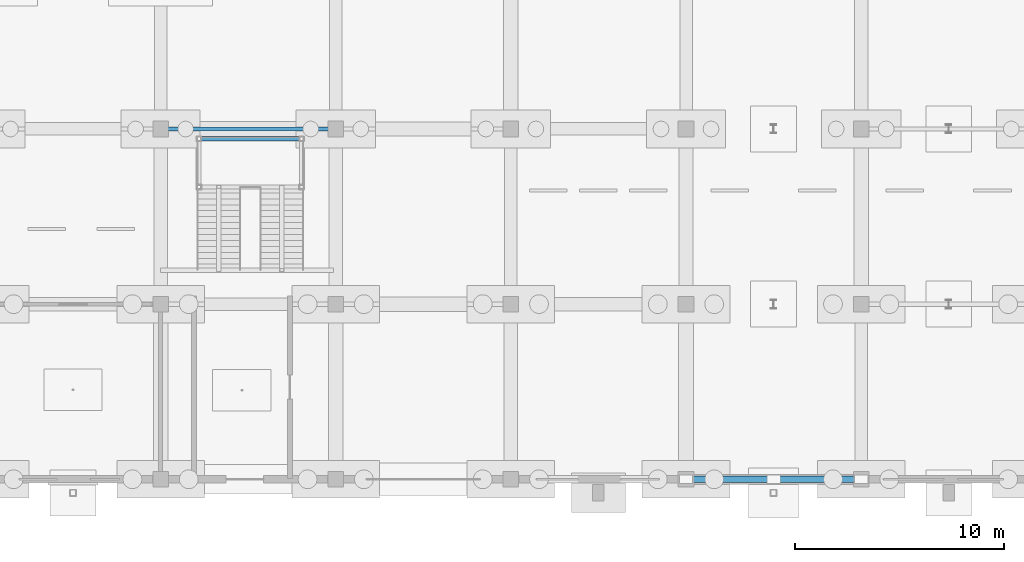
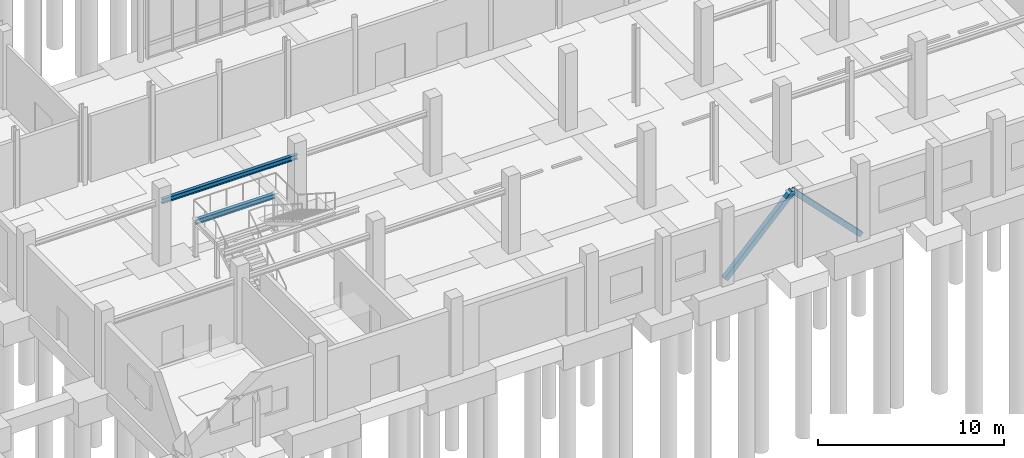
# One storey, part 40 of 119: 2 beams, 2 members.
"""IFC4 building model written with IfcOpenShell, lengths in metres."""

from ifc_helpers import new_model, si_unit, derived_unit, direction, frame, origin, origin_2d, place, context, subcontext, project, spatial, hollow_rectangle, i_section, extrude, material, material_profile, profile_set, type_object, element, save


model = new_model("IFC4")

# Units and contexts
model_context = context("Model", 3, precision=1e-05, world=origin(), true_north=direction((0.0, 1.0)))
body_context = subcontext(model_context, "Body", "Model", "MODEL_VIEW")
ifc_project = project(units=[si_unit("LENGTHUNIT", "METRE"), si_unit("AREAUNIT", "SQUARE_METRE"), si_unit("VOLUMEUNIT", "CUBIC_METRE"), si_unit("PLANEANGLEUNIT", "RADIAN"), si_unit("MASSUNIT", "GRAM", prefix="KILO"), derived_unit("THERMALTRANSMITTANCEUNIT", [(si_unit("MASSUNIT", "GRAM", prefix="KILO"), 1), (si_unit("TIMEUNIT", "SECOND"), -3), (si_unit("THERMODYNAMICTEMPERATUREUNIT", "KELVIN"), -1)])], contexts=[model_context])

# Site, building, storey
site_placement = place(None, origin())
site = spatial("IfcSite", under=ifc_project, at=site_placement, CompositionType="ELEMENT")
building_placement = place(site_placement, origin())
building = spatial("IfcBuilding", under=site, at=building_placement, Name="Makaiwela Harbour Ferry Terminal", CompositionType="ELEMENT")
storey_placement = place(building_placement, origin())
storey = spatial("IfcBuildingStorey", under=building, at=storey_placement, Name="L00", CompositionType="ELEMENT", Elevation=0.0)

# Members
ifc_material_1 = material(Name="Steel ASTM A500 Grade C", Category="steel")
ifc_material_profile_1 = material_profile(ifc_material_1, hollow_rectangle(XDim=0.304931640625, YDim=0.304931640625, WallThickness=0.0146484375, at=origin_2d()), Name="HSS12X12X5/8")
ifc_profile_set_1 = profile_set([ifc_material_profile_1], Name="Steel ASTM A500 Grade C")
member_type = type_object("IfcMemberType", Name="STR-BRC-HSS12", PredefinedType="BRACE", material=ifc_profile_set_1)
for number, where, z_axis, x_axis, name in (
    (1, (96.60009765625, 0.0, 0.219970703125), (0.698284794228, 0.0, 0.715820051515), (0.0, 1.0, 0.0), "Lateral chevron brace 2A"),
    (2, (105.0, 0.0, 0.219970703125), (-0.698284794228, 0.0, 0.715820051515), (0.0, -1.0, 0.0), "Lateral chevron brace 2B"),
):
    element("IfcMember", number, at=place(storey_placement, frame(where, z_axis=z_axis, x_axis=x_axis)), inside=storey, type_object=member_type, Name=name, PredefinedType="BRACE", context=body_context, shape_type="SweptSolid", body=[
        extrude(hollow_rectangle(XDim=0.304931640625, YDim=0.304931640625, WallThickness=0.0146484375, at=origin_2d()), origin(), (0.0, 0.0, 1.0), 6.0146484375),
    ])

# Beams
ifc_material_2 = material(Name="Steel ASTM A992 Grade 50", Category="steel")
ifc_material_profile_2 = material_profile(ifc_material_2, i_section(OverallWidth=0.205078125, OverallDepth=0.31005859375, WebThickness=0.009521484375, FlangeThickness=0.016357421875, at=origin_2d()), Name="W12X50")
ifc_profile_set_2 = profile_set([ifc_material_profile_2], Name="Steel ASTM A992 Grade 50")
beam_type = type_object("IfcBeamType", Name="STR-LNT-W12X50", PredefinedType="LINTEL", material=ifc_profile_set_2)
beam_1_placement = place(storey_placement, frame((71.39990234375, 16.800048828125, 3.949951171875), z_axis=(1.0, 0.0, 0.0), x_axis=(0.0, 1.0, 0.0)))
element("IfcBeam", 3, at=beam_1_placement, inside=storey, type_object=beam_type, Name="Interior aisle lintel 4", PredefinedType="LINTEL", context=body_context, shape_type="SweptSolid", body=[
    extrude(i_section(OverallWidth=0.205078125, OverallDepth=0.31005859375, WebThickness=0.009521484375, FlangeThickness=0.016357421875, at=origin_2d()), origin(), (0.0, 0.0, 1.0), 8.400146484375),
])
beam_2_placement = place(storey_placement, frame((73.239990234375, 16.330078125, 2.2451171875), z_axis=(1.0, 0.0, 0.0), x_axis=(0.0, 1.0, 0.0)))
element("IfcBeam", 4, at=beam_2_placement, inside=storey, type_object=beam_type, Name="Stair Landing Beam ST-07-L00-2", PredefinedType="LINTEL", context=body_context, shape_type="SweptSolid", body=[
    extrude(i_section(OverallWidth=0.205078125, OverallDepth=0.31005859375, WebThickness=0.009521484375, FlangeThickness=0.016357421875, at=origin_2d()), origin(), (0.0, 0.0, 1.0), 4.919921875),
])

save(model, "model.ifc")
